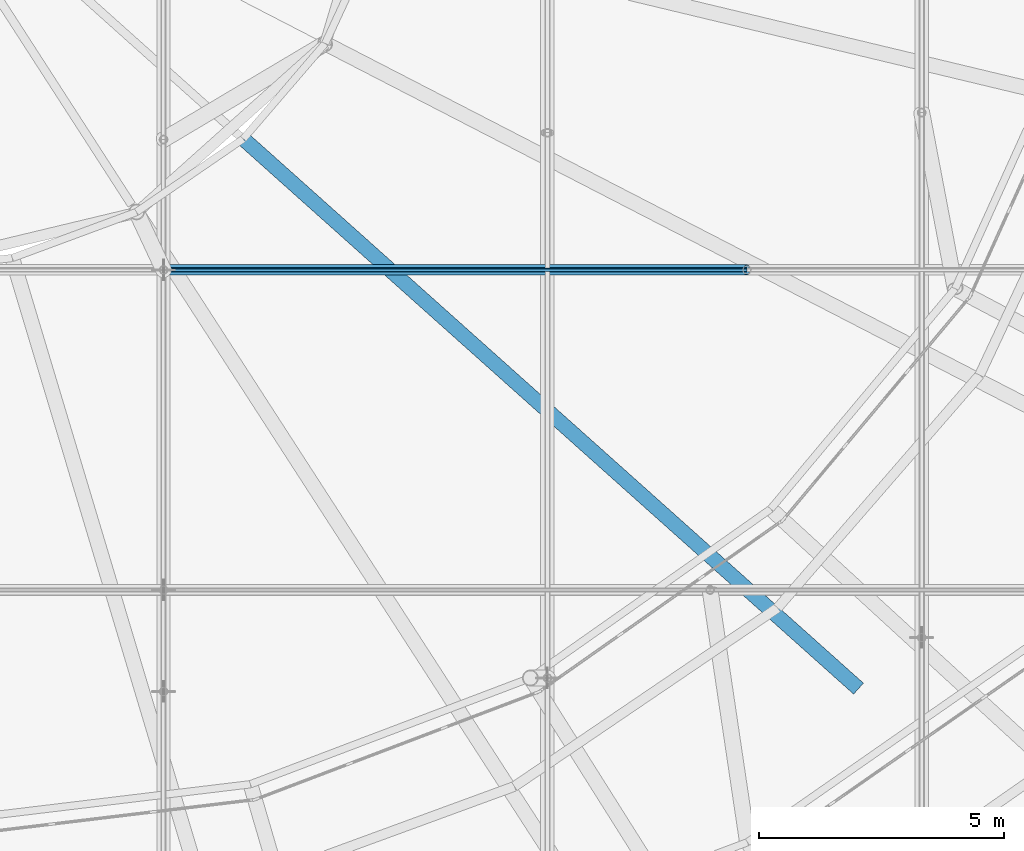
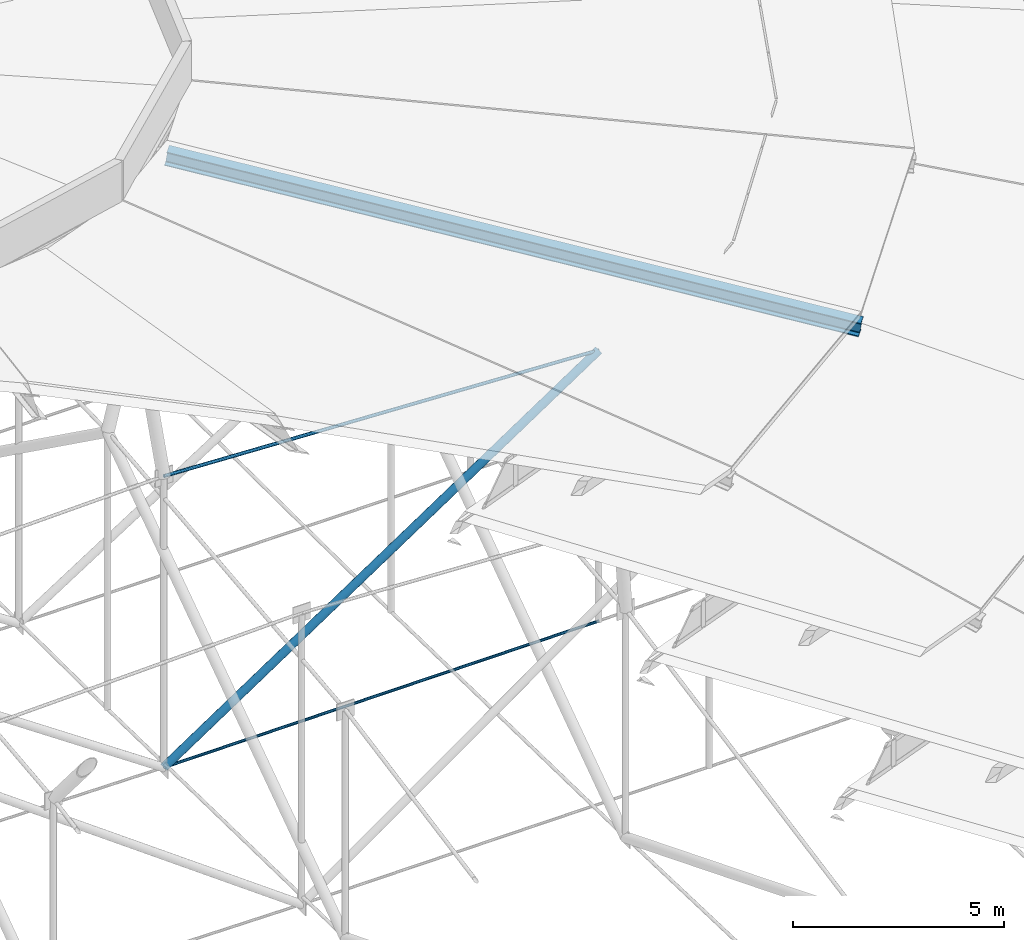
# One storey, part 29 of 173: 4 members.
"""IFC4 building model written with IfcOpenShell, lengths in metres."""

from ifc_helpers import new_model, si_unit, direction, frame, origin, origin_2d, place, context, subcontext, project, spatial, circle, hollow_circle, i_section, extrude, material, material_profile, profile_set, type_object, element, save


model = new_model("IFC4")

# Units and contexts
model_context = context("Model", 3, precision=1e-05, world=origin(), true_north=direction((0.0, 1.0)))
body_context = subcontext(model_context, "Body", "Model", "MODEL_VIEW")
ifc_project = project(units=[si_unit("LENGTHUNIT", "METRE"), si_unit("AREAUNIT", "SQUARE_METRE"), si_unit("VOLUMEUNIT", "CUBIC_METRE"), si_unit("PLANEANGLEUNIT", "RADIAN"), si_unit("MASSUNIT", "GRAM", prefix="KILO")], contexts=[model_context])

# Site, building, storey
site_placement = place(None, origin())
site = spatial("IfcSite", under=ifc_project, at=site_placement, CompositionType="ELEMENT")
building_placement = place(site_placement, origin())
building = spatial("IfcBuilding", under=site, at=building_placement, Name="Glasvene Arena", CompositionType="ELEMENT")
storey_placement = place(building_placement, frame((0.0, 0.0, 28.800048828125)))
storey = spatial("IfcBuildingStorey", under=building, at=storey_placement, Name="RF", CompositionType="ELEMENT", Elevation=28.800048828125)

# Members
ifc_material_1 = material(Name="High-strength steel spiral strand S460", Category="steel")
ifc_material_profile_1 = material_profile(ifc_material_1, circle(Radius=0.03759765625, at=origin_2d()), Name="LCSS D75")
ifc_profile_set_1 = profile_set([ifc_material_profile_1], Name="High-strength steel spiral strand S460")
member_type_1 = type_object("IfcMemberType", Name="MB-CABLE-75", PredefinedType="USERDEFINED", material=ifc_profile_set_1)
member_1_placement = place(storey_placement, frame((92.0, 59.09423828125, -2.400146484375), z_axis=(0.999981649362, 0.0, 0.006058130089), x_axis=(0.0, 1.0, 0.0)))
element("IfcMember", 1, at=member_1_placement, inside=storey, type_object=member_type_1, Name="Lower stabilization roof cable EW02-05", ObjectType="ROOF CABLE", PredefinedType="USERDEFINED", context=body_context, shape_type="SweptSolid", body=[
    extrude(circle(Radius=0.03759765625, at=origin_2d()), origin(), (0.0, 0.0, 1.0), 11.888427734375),
])
ifc_material_profile_2 = material_profile(ifc_material_1, circle(Radius=0.044921875, at=origin_2d()), Name="LCSS D90")
ifc_profile_set_2 = profile_set([ifc_material_profile_2], Name="High-strength steel spiral strand S460")
member_type_2 = type_object("IfcMemberType", Name="MB-CABLE-90", PredefinedType="USERDEFINED", material=ifc_profile_set_2)
member_2_placement = place(storey_placement, frame((92.0, 59.09423828125, 6.02001953125), z_axis=(0.999041976049, 0.0, -0.043762199345), x_axis=(0.0, 1.0, 0.0)))
element("IfcMember", 2, at=member_2_placement, inside=storey, type_object=member_type_2, Name="Upper lens roof cable EW02-05", ObjectType="ROOF CABLE", PredefinedType="USERDEFINED", context=body_context, shape_type="SweptSolid", body=[
    extrude(circle(Radius=0.044921875, at=origin_2d()), origin(), (0.0, 0.0, 1.0), 11.899658203125),
])
ifc_material_2 = material(Name="Steel S355J2", Category="steel")
ifc_material_profile_3 = material_profile(ifc_material_2, i_section(OverallWidth=0.300048828125, OverallDepth=0.39990234375, WebThickness=0.013427734375, FlangeThickness=0.02392578125, FilletRadius=0.027099609375, at=origin_2d()), Name="HEB 400")
ifc_profile_set_3 = profile_set([ifc_material_profile_3], Name="Steel S355J2")
member_type_3 = type_object("IfcMemberType", Name="MB-CHORD-HEB400", PredefinedType="CHORD", material=ifc_profile_set_3)
member_3_placement = place(storey_placement, frame((106.140380859375, 50.580810546875, 10.550048828125), z_axis=(-0.737200582945, 0.658771011515, 0.15018673341), x_axis=(-0.666328746654, -0.745658099522, 0.0)))
element("IfcMember", 3, at=member_3_placement, inside=storey, type_object=member_type_3, Name="Petal ring 5 radial rib 22", PredefinedType="CHORD", context=body_context, shape_type="SweptSolid", body=[
    extrude(i_section(OverallWidth=0.300048828125, OverallDepth=0.39990234375, WebThickness=0.013427734375, FlangeThickness=0.02392578125, FilletRadius=0.027099609375, at=origin_2d()), origin(), (0.0, 0.0, 1.0), 16.9775390625),
])
ifc_material_profile_4 = material_profile(ifc_material_2, hollow_circle(Radius=0.109619140625, WallThickness=0.010009765625, at=origin_2d()), Name="CHS 219.1x10.0")
ifc_profile_set_4 = profile_set([ifc_material_profile_4], Name="Steel S355J2")
member_type_4 = type_object("IfcMemberType", Name="MB-WEB-CHS219", PredefinedType="BRACE", material=ifc_profile_set_4)
member_4_placement = place(storey_placement, frame((92.0, 59.09423828125, -2.400146484375), z_axis=(0.832891408226, 0.0, 0.553436448116), x_axis=(0.0, 1.0, 0.0)))
element("IfcMember", 4, at=member_4_placement, inside=storey, type_object=member_type_4, Name="Cable-truss diagonal web strut EW02-05", PredefinedType="BRACE", context=body_context, shape_type="SweptSolid", body=[
    extrude(hollow_circle(Radius=0.109619140625, WallThickness=0.010009765625, at=origin_2d()), origin(), (0.0, 0.0, 1.0), 14.2734375),
])

save(model, "model.ifc")
